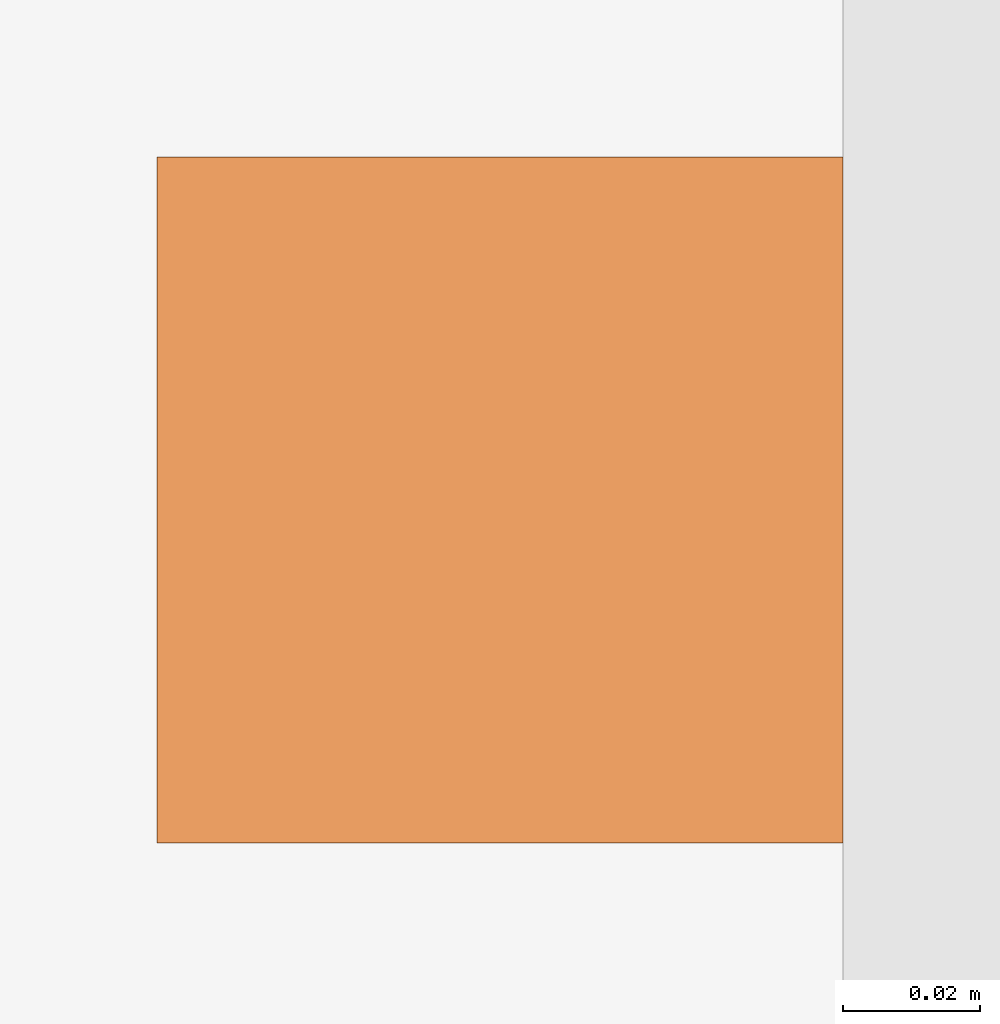
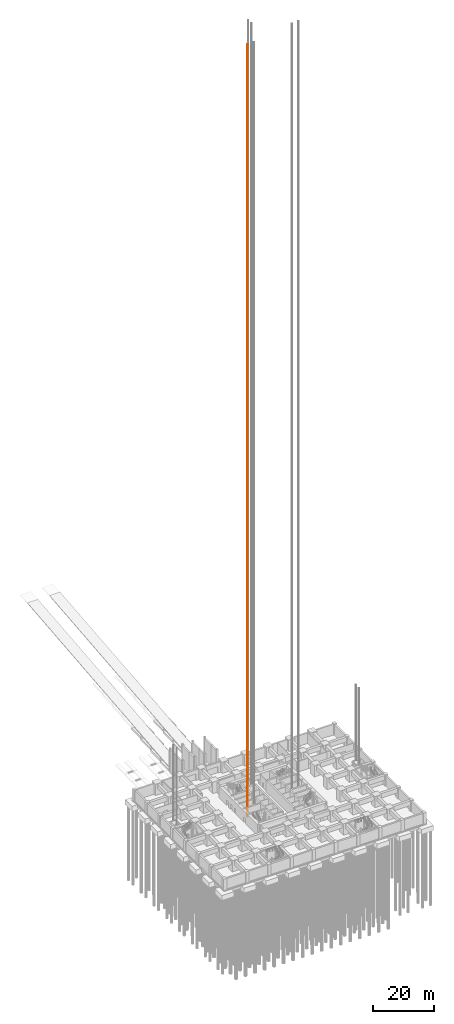
# One storey, part 22 of 28: 1 proxy.
"""IFC4 building model written with IfcOpenShell, lengths in metres."""

from ifc_helpers import new_model, si_unit, direction, frame, origin, origin_2d, place, context, subcontext, project, spatial, rectangle, extrude, material, type_object, element, save


model = new_model("IFC4")

# Units and contexts
model_context = context("Model", 3, precision=1e-05, world=origin(), true_north=direction((0.0, 1.0)))
body_context = subcontext(model_context, "Body", "Model", "MODEL_VIEW")
ifc_project = project(units=[si_unit("LENGTHUNIT", "METRE"), si_unit("AREAUNIT", "SQUARE_METRE"), si_unit("VOLUMEUNIT", "CUBIC_METRE"), si_unit("PLANEANGLEUNIT", "RADIAN"), si_unit("MASSUNIT", "GRAM", prefix="KILO")], contexts=[model_context])

# Site, building, storey
site_placement = place(None, origin())
site = spatial("IfcSite", under=ifc_project, at=site_placement, CompositionType="ELEMENT")
building_placement = place(site_placement, origin())
building = spatial("IfcBuilding", under=site, at=building_placement, Name="Rekha Terrace Tower", CompositionType="ELEMENT")
storey_placement = place(building_placement, frame((0.0, 0.0, -9.89990234375)))
storey = spatial("IfcBuildingStorey", under=building, at=storey_placement, Name="B-02", CompositionType="ELEMENT", Elevation=-9.89990234375)

# Proxy
ifc_material = material(Name="Steel guide rail", Category="steel")
building_element_proxy_type = type_object("IfcBuildingElementProxyType", Name="LR1 100 lift guide rail", PredefinedType="ELEMENT", material=ifc_material)
proxy_placement = place(storey_placement, frame((27.25, 32.14990234375, 0.0), z_axis=(0.0, 0.0, 1.0), x_axis=(1.0, 0.0, 0.0)))
element("IfcBuildingElementProxy", 1, at=proxy_placement, inside=storey, type_object=building_element_proxy_type, Name="Lift FL1 guide rail 1", PredefinedType="ELEMENT", context=body_context, shape_type="SweptSolid", body=[
    extrude(rectangle(XDim=0.10009765625, YDim=0.10009765625, at=origin_2d()), origin(), (0.0, 0.0, 1.0), 309.050048828125),
])

save(model, "model.ifc")
